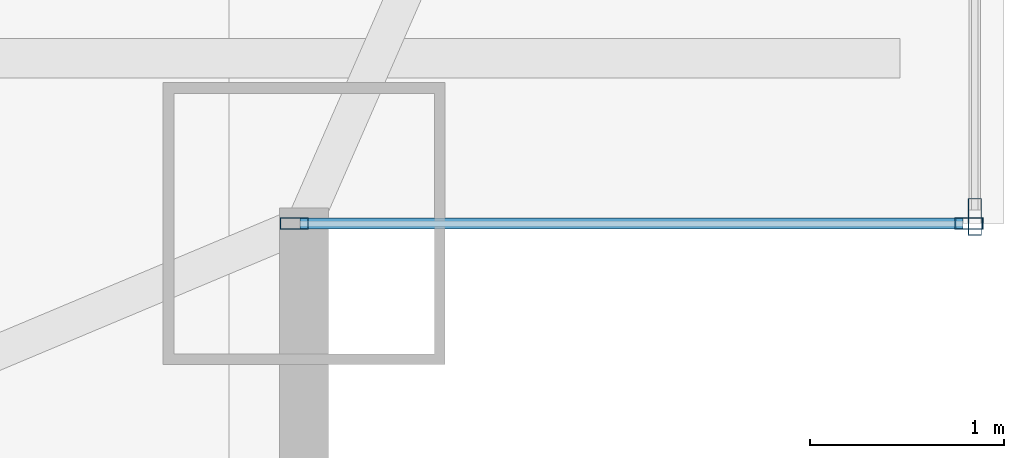
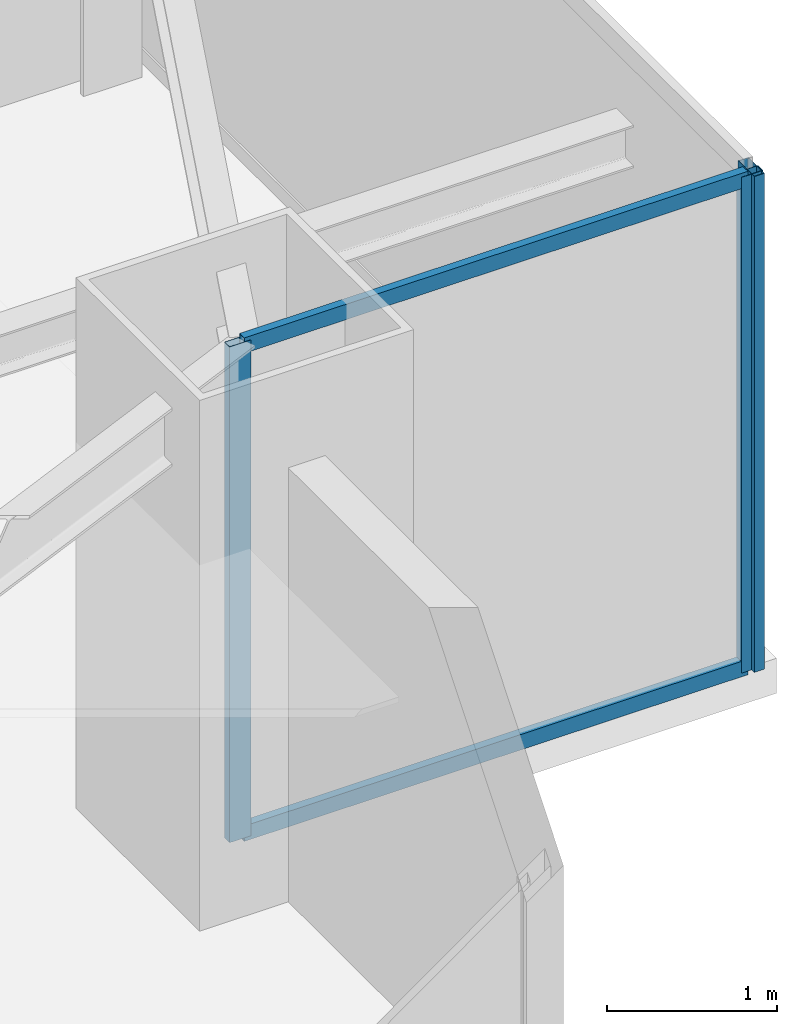
# One storey, part 16 of 37: 5 members, 2 elements without a shape of their own.
"""IFC4 building model written with IfcOpenShell, lengths in metres."""

from ifc_helpers import new_model, si_unit, direction, frame, origin, origin_2d, place, context, subcontext, project, spatial, hollow_rectangle, extrude, source, transform, mapped, material, layer, layer_set, material_profile, profile_set, type_object, type_shapes, element, aggregate, save


model = new_model("IFC4")

# Units and contexts
model_context = context("Model", 3, precision=1e-05, world=origin(), true_north=direction((0.0, 1.0)))
body_context = subcontext(model_context, "Body", "Model", "MODEL_VIEW")
ifc_project = project(units=[si_unit("LENGTHUNIT", "METRE"), si_unit("AREAUNIT", "SQUARE_METRE"), si_unit("VOLUMEUNIT", "CUBIC_METRE"), si_unit("PLANEANGLEUNIT", "RADIAN"), si_unit("MASSUNIT", "GRAM", prefix="KILO")], contexts=[model_context])

# Site, building, storey
site_placement = place(None, origin())
site = spatial("IfcSite", under=ifc_project, at=site_placement, CompositionType="ELEMENT")
building_placement = place(site_placement, origin())
building = spatial("IfcBuilding", under=site, at=building_placement, Name="Varnel Quay Broadcast Tower", CompositionType="ELEMENT")
storey_placement = place(building_placement, frame((0.0, 0.0, 125.800048828125)))
storey = spatial("IfcBuildingStorey", under=building, at=storey_placement, Name="L30", CompositionType="ELEMENT", Elevation=125.800048828125)

# Curtain wall, members
ifc_material = material(Name="Anodised Bronze Aluminium 6063-T6", Category="aluminium")
ifc_layer_1 = layer(ifc_material, 0.18994140625, Name="Anodised Bronze Aluminium 6063-T6")
ifc_layer_set_1 = layer_set([ifc_layer_1], Name="Anodised Bronze Aluminium 6063-T6")
curtain_wall_type_1 = type_object("IfcCurtainWallType", Name="CW_NotchCorner", PredefinedType="NOTDEFINED", material=ifc_layer_set_1)
curtain_wall_1_placement = place(storey_placement, origin())
curtain_wall_1 = element("IfcCurtainWall", 1, at=curtain_wall_1_placement, inside=storey, type_object=curtain_wall_type_1, Name="L30 SE Notch Curtain Wall", PredefinedType="NOTDEFINED")
ifc_material_profile_1 = material_profile(ifc_material, hollow_rectangle(XDim=0.054931640625, YDim=0.110107421875, WallThickness=0.0029296875, at=origin_2d()), Name="ALU55X110X3")
ifc_profile_set_1 = profile_set([ifc_material_profile_1], Name="Anodised Bronze Aluminium 6063-T6")
member_type_1 = type_object("IfcMemberType", Name="Tran_CWS-04", PredefinedType="USERDEFINED", material=ifc_profile_set_1)
shared_shape_1 = source(origin(), body_context, "Body", "SweptSolid", [
    extrude(hollow_rectangle(XDim=0.054931640625, YDim=0.110107421875, WallThickness=0.0029296875, at=origin_2d()), origin(), (0.0, 0.0, 1.0), 3.41015625),
])
type_shapes(member_type_1, [shared_shape_1])
member_1_placement = place(storey_placement, frame((59.8798828125, 7.800048828125, 0.02734375), z_axis=(1.0, 0.0, 0.0), x_axis=(0.0, 1.0, 0.0)))
member_1 = element("IfcMember", 2, at=member_1_placement, type_object=member_type_1, Name="CWS-04 transom 1.1", ObjectType="TRANSOM", PredefinedType="USERDEFINED", context=body_context, shape_type="MappedRepresentation", body=[
    mapped(shared_shape_1, transform((0.0, 0.0, 0.0), x_axis=(1.0, 0.0, 0.0), y_axis=(0.0, 1.0, 0.0), z_axis=(0.0, 0.0, 1.0), scale=1.0)),
])
member_2_placement = place(storey_placement, frame((59.8798828125, 7.800048828125, 3.5224609375), z_axis=(1.0, 0.0, 0.0), x_axis=(0.0, 1.0, 0.0)))
member_2 = element("IfcMember", 3, at=member_2_placement, type_object=member_type_1, Name="CWS-04 transom 1.2", ObjectType="TRANSOM", PredefinedType="USERDEFINED", context=body_context, shape_type="MappedRepresentation", body=[
    mapped(shared_shape_1, transform((0.0, 0.0, 0.0), x_axis=(1.0, 0.0, 0.0), y_axis=(0.0, 1.0, 0.0), z_axis=(0.0, 0.0, 1.0), scale=1.0)),
])

# Curtain wall, member
ifc_layer_2 = layer(ifc_material, 0.18994140625, Name="Anodised Bronze Aluminium 6063-T6")
ifc_layer_set_2 = layer_set([ifc_layer_2], Name="Anodised Bronze Aluminium 6063-T6")
curtain_wall_type_2 = type_object("IfcCurtainWallType", Name="CW_LowerTower", PredefinedType="NOTDEFINED", material=ifc_layer_set_2)
curtain_wall_2_placement = place(storey_placement, origin())
curtain_wall_2 = element("IfcCurtainWall", 4, at=curtain_wall_2_placement, inside=storey, type_object=curtain_wall_type_2, Name="L30 East Unitised Curtain Wall", PredefinedType="NOTDEFINED")
ifc_material_profile_2 = material_profile(ifc_material, hollow_rectangle(XDim=0.070068359375, YDim=0.18994140625, WallThickness=0.00390625, at=origin_2d()), Name="ALU70X190X4")
ifc_profile_set_2 = profile_set([ifc_material_profile_2], Name="Anodised Bronze Aluminium 6063-T6")
member_type_2 = type_object("IfcMemberType", Name="Mull_CWS-02", PredefinedType="MULLION", material=ifc_profile_set_2)
shared_shape_2 = source(origin(), body_context, "Body", "SweptSolid", [
    extrude(hollow_rectangle(XDim=0.070068359375, YDim=0.18994140625, WallThickness=0.00390625, at=origin_2d()), origin(), (0.0, 0.0, 1.0), 3.550048828125),
])
type_shapes(member_type_2, [shared_shape_2])
member_3_placement = place(storey_placement, frame((63.35009765625, 7.8349609375, 0.0), z_axis=(0.0, 0.0, 1.0), x_axis=(-1.0, 0.0, 0.0)))
member_3 = element("IfcMember", 5, at=member_3_placement, type_object=member_type_2, Name="CWS-02 mullion 1", PredefinedType="MULLION", context=body_context, shape_type="MappedRepresentation", body=[
    mapped(shared_shape_2, transform((0.0, 0.0, 0.0), x_axis=(1.0, 0.0, 0.0), y_axis=(0.0, 1.0, 0.0), z_axis=(0.0, 0.0, 1.0), scale=1.0)),
])
aggregate(curtain_wall_2, [member_3])

# Member
ifc_material_profile_3 = material_profile(ifc_material, hollow_rectangle(XDim=0.06005859375, YDim=0.14501953125, WallThickness=0.00341796875, at=origin_2d()), Name="ALU60X145X3.5")
ifc_profile_set_3 = profile_set([ifc_material_profile_3], Name="Anodised Bronze Aluminium 6063-T6")
member_type_3 = type_object("IfcMemberType", Name="Mull_CWS-04", PredefinedType="MULLION", material=ifc_profile_set_3)
shared_shape_3 = source(origin(), body_context, "Body", "SweptSolid", [
    extrude(hollow_rectangle(XDim=0.06005859375, YDim=0.14501953125, WallThickness=0.00341796875, at=origin_2d()), origin(), (0.0, 0.0, 1.0), 3.550048828125),
])
type_shapes(member_type_3, [shared_shape_3])
member_4_placement = place(storey_placement, frame((59.85009765625, 7.800048828125, 0.0), z_axis=(0.0, 0.0, 1.0), x_axis=(0.0, 1.0, 0.0)))
member_4 = element("IfcMember", 6, at=member_4_placement, type_object=member_type_3, Name="CWS-04 mullion 1", PredefinedType="MULLION", context=body_context, shape_type="MappedRepresentation", body=[
    mapped(shared_shape_3, transform((0.0, 0.0, 0.0), x_axis=(1.0, 0.0, 0.0), y_axis=(0.0, 1.0, 0.0), z_axis=(0.0, 0.0, 1.0), scale=1.0)),
])

member_5_placement = place(storey_placement, frame((63.320068359375, 7.800048828125, 0.0), z_axis=(0.0, 0.0, 1.0), x_axis=(0.0, 1.0, 0.0)))
member_5 = element("IfcMember", 7, at=member_5_placement, type_object=member_type_3, Name="CWS-04 mullion 2", PredefinedType="MULLION", context=body_context, shape_type="MappedRepresentation", body=[
    mapped(shared_shape_3, transform((0.0, 0.0, 0.0), x_axis=(1.0, 0.0, 0.0), y_axis=(0.0, 1.0, 0.0), z_axis=(0.0, 0.0, 1.0), scale=1.0)),
])

aggregate(curtain_wall_1, [member_4, member_5, member_1, member_2])

save(model, "model.ifc")
